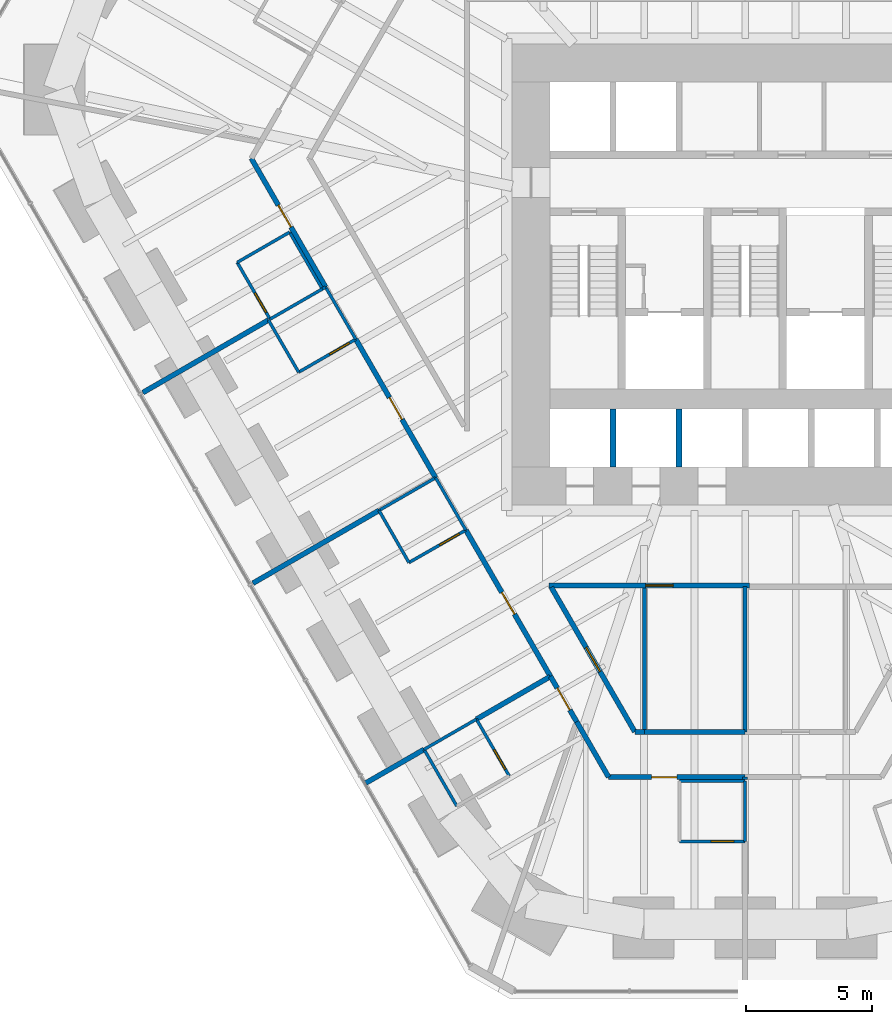
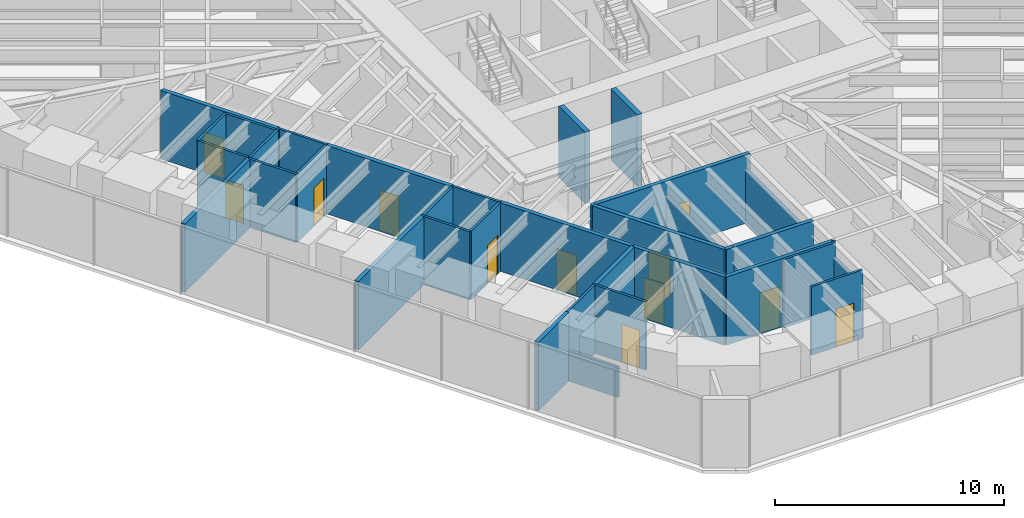
# One storey, part 11 of 17: 37 walls, 12 doors, 12 openings.
"""IFC4 building model written with IfcOpenShell, lengths in metres."""

from ifc_helpers import new_model, si_unit, direction, frame, frame_2d, origin, place, context, subcontext, project, spatial, rectangle, extrude, material, layer, layer_set, type_object, element, fill, save


model = new_model("IFC4")

# Units and contexts
model_context = context("Model", 3, precision=1e-05, world=origin(), true_north=direction((0.0, 1.0)))
body_context = subcontext(model_context, "Body", "Model", "MODEL_VIEW")
ifc_project = project(units=[si_unit("LENGTHUNIT", "METRE"), si_unit("AREAUNIT", "SQUARE_METRE"), si_unit("VOLUMEUNIT", "CUBIC_METRE"), si_unit("PLANEANGLEUNIT", "RADIAN"), si_unit("MASSUNIT", "GRAM", prefix="KILO")], contexts=[model_context])

# Site, building, storey
site_placement = place(None, origin())
site = spatial("IfcSite", under=ifc_project, at=site_placement, CompositionType="ELEMENT")
building_placement = place(site_placement, origin())
building = spatial("IfcBuilding", under=site, at=building_placement, Name="Sandreach Pilgrim Tower", CompositionType="ELEMENT")
storey_placement = place(building_placement, frame((0.0, 0.0, 83.800048828125)))
storey = spatial("IfcBuildingStorey", under=building, at=storey_placement, Name="L20", CompositionType="ELEMENT", Elevation=83.800048828125)

# Walls
ifc_material_1 = material(Name="Gypsum board on steel studs", Category="steel")
ifc_layer_1 = layer(ifc_material_1, 0.14990234375)
ifc_layer_set_1 = layer_set([ifc_layer_1], Name="Back of house wall 150")
wall_type_1 = type_object("IfcWallType", Name="Back of house wall 150", PredefinedType="PARTITIONING", material=ifc_layer_set_1)
wall_1_placement = place(storey_placement, frame((-4.0, -14.0, 0.0), z_axis=(0.0, 0.0, 1.0), x_axis=(0.0, -1.0, 0.0)))
element("IfcWall", 1, at=wall_1_placement, inside=storey, type_object=wall_type_1, Name="Back of house wall L20-062", PredefinedType="PARTITIONING", context=body_context, shape_type="SweptSolid", body=[
    extrude(rectangle(XDim=5.7099609375, YDim=0.14990234375, at=frame_2d((2.85498046875, 0.0))), origin(), (0.0, 0.0, 1.0), 2.8779296875),
])
wall_2_placement = place(storey_placement, frame((0.0, -13.949951171875, 0.0), z_axis=(0.0, 0.0, 1.0), x_axis=(0.0, -1.0, 0.0)))
element("IfcWall", 2, at=wall_2_placement, inside=storey, type_object=wall_type_1, Name="Back of house wall L20-075", PredefinedType="PARTITIONING", context=body_context, shape_type="SweptSolid", body=[
    extrude(rectangle(XDim=5.760009765625, YDim=0.14990234375, at=frame_2d((2.8798828125, 0.0))), origin(), (0.0, 0.0, 1.0), 2.860107421875),
])

# Wall, opening, door
ifc_material_2 = material(Name="Moisture-resistant gypsum board on steel studs", Category="steel")
ifc_layer_2 = layer(ifc_material_2, 0.1201171875)
ifc_layer_set_2 = layer_set([ifc_layer_2], Name="Bathroom partition 120")
wall_type_2 = type_object("IfcWallType", Name="Bathroom partition 120", PredefinedType="PARTITIONING", material=ifc_layer_set_2)
wall_3_placement = place(storey_placement, frame((-20.169921875, -1.070068359375, 0.0), z_axis=(0.0, 0.0, 1.0), x_axis=(0.500291685314, -0.865856933682, 0.0)))
wall_3 = element("IfcWall", 3, at=wall_3_placement, inside=storey, type_object=wall_type_2, Name="Bathroom partition L20-005", PredefinedType="PARTITIONING", context=body_context, shape_type="SweptSolid", body=[
    extrude(rectangle(XDim=2.5986328125, YDim=0.1201171875, at=frame_2d((1.29931640625, 0.0))), origin(), (0.0, 0.0, 1.0), 3.639892578125),
])
opening_1_placement = place(wall_3_placement, frame((1.398681640625, 0.0, 0.0)))
opening_1 = element("IfcOpeningElement", 4, at=opening_1_placement, cuts=wall_3, Name="Opening D09-16B", PredefinedType="OPENING", context=body_context, shape_type="SweptSolid", body=[
    extrude(rectangle(XDim=0.89990234375, YDim=2.030029296875, at=frame_2d((0.449951171875, 1.01513671875))), frame((0.0, 0.06005859375, 0.0), z_axis=(0.0, -1.0, 0.0), x_axis=(1.0, 0.0, 0.0)), (0.0, 0.0, 1.0), 0.1201171875),
])
ifc_material_3 = material(Name="Timber door, steel frame", Category="steel")
door_type_1 = type_object("IfcDoorType", Name="Bathroom door", OperationType="SINGLE_SWING_LEFT", PredefinedType="DOOR", material=ifc_material_3)
door_1_placement = place(opening_1_placement, origin())
door_1 = element("IfcDoor", 5, at=door_1_placement, inside=storey, type_object=door_type_1, Name="Door 2016B", OperationType="SINGLE_SWING_RIGHT", OverallHeight=2.030029296875, OverallWidth=0.89990234375, PredefinedType="DOOR", context=body_context, shape_type="SweptSolid", body=[
    extrude(rectangle(XDim=0.89990234375, YDim=2.030029296875, at=frame_2d((0.449951171875, 1.01513671875))), frame((0.0, 0.02490234375, 0.0), z_axis=(0.0, -1.0, 0.0), x_axis=(1.0, 0.0, 0.0)), (0.0, 0.0, 1.0), 0.050048828125),
])
fill(opening_1, door_1)

# Walls
wall_4_placement = place(storey_placement, frame((-18.929931640625, -3.360107421875, 0.0), z_axis=(0.0, 0.0, 1.0), x_axis=(0.501547039172, -0.865130376012, 0.0)))
element("IfcWall", 6, at=wall_4_placement, inside=storey, type_object=wall_type_2, Name="Bathroom partition L20-011", PredefinedType="PARTITIONING", context=body_context, shape_type="SweptSolid", body=[
    extrude(rectangle(XDim=2.392578125, YDim=0.1201171875, at=frame_2d((1.1962890625, 0.0))), origin(), (0.0, 0.0, 1.0), 3.639892578125),
])
wall_5_placement = place(storey_placement, frame((-18.86767578125, -3.323974609375, 0.0), z_axis=(0.0, 0.0, 1.0), x_axis=(0.866133109688, 0.499813401482, 0.0)))
element("IfcWall", 7, at=wall_5_placement, inside=storey, type_object=wall_type_2, Name="Bathroom partition L20-012", PredefinedType="PARTITIONING", context=body_context, shape_type="SweptSolid", body=[
    extrude(rectangle(XDim=2.4013671875, YDim=0.1201171875, at=frame_2d((1.20068359375, 0.0))), origin(), (0.0, 0.0, 1.0), 3.639892578125),
])
wall_6_placement = place(storey_placement, frame((-18.090087890625, 0.1298828125, 0.0), z_axis=(0.0, 0.0, 1.0), x_axis=(-0.866177122335, -0.499737123639, 0.0)))
element("IfcWall", 8, at=wall_6_placement, inside=storey, type_object=wall_type_2, Name="Bathroom partition L20-015", PredefinedType="PARTITIONING", context=body_context, shape_type="SweptSolid", body=[
    extrude(rectangle(XDim=2.401123046875, YDim=0.1201171875, at=frame_2d((1.20068359375, 0.0))), origin(), (0.0, 0.0, 1.0), 3.639892578125),
])

# Wall, opening, door
wall_7_placement = place(storey_placement, frame((-17.72998046875, -5.429931640625, 0.0), z_axis=(0.0, 0.0, 1.0), x_axis=(0.866114241029, 0.499846097802, 0.0)))
wall_7 = element("IfcWall", 9, at=wall_7_placement, inside=storey, type_object=wall_type_2, Name="Bathroom partition L20-016", PredefinedType="PARTITIONING", context=body_context, shape_type="SweptSolid", body=[
    extrude(rectangle(XDim=2.620849609375, YDim=0.1201171875, at=frame_2d((1.310546875, 0.0))), origin(), (0.0, 0.0, 1.0), 3.639892578125),
])
opening_2_placement = place(wall_7_placement, frame((1.4208984375, 0.0, 0.0)))
opening_2 = element("IfcOpeningElement", 10, at=opening_2_placement, cuts=wall_7, Name="Opening D09-15B", PredefinedType="OPENING", context=body_context, shape_type="SweptSolid", body=[
    extrude(rectangle(XDim=0.89990234375, YDim=2.030029296875, at=frame_2d((0.449951171875, 1.01513671875))), frame((0.0, 0.06005859375, 0.0), z_axis=(0.0, -1.0, 0.0), x_axis=(1.0, 0.0, 0.0)), (0.0, 0.0, 1.0), 0.1201171875),
])
door_2_placement = place(opening_2_placement, origin())
door_2 = element("IfcDoor", 11, at=door_2_placement, inside=storey, type_object=door_type_1, Name="Door 2015B", OperationType="SINGLE_SWING_RIGHT", OverallHeight=2.030029296875, OverallWidth=0.89990234375, PredefinedType="DOOR", context=body_context, shape_type="SweptSolid", body=[
    extrude(rectangle(XDim=0.89990234375, YDim=2.030029296875, at=frame_2d((0.449951171875, 1.01513671875))), frame((0.0, 0.02490234375, 0.0), z_axis=(0.0, -1.0, 0.0), x_axis=(1.0, 0.0, 0.0)), (0.0, 0.0, 1.0), 0.050048828125),
])
fill(opening_2, door_2)

# Walls
wall_8_placement = place(storey_placement, frame((-16.7900390625, -2.1201171875, 0.0), z_axis=(0.0, 0.0, 1.0), x_axis=(-0.50025099007, 0.865880446098, 0.0)))
element("IfcWall", 12, at=wall_8_placement, inside=storey, type_object=wall_type_2, Name="Bathroom partition L20-020", PredefinedType="PARTITIONING", context=body_context, shape_type="SweptSolid", body=[
    extrude(rectangle(XDim=2.598876953125, YDim=0.1201171875, at=frame_2d((1.29931640625, 0.0))), origin(), (0.0, 0.0, 1.0), 3.639892578125),
])
wall_9_placement = place(storey_placement, frame((-16.787841796875, -2.123779296875, 0.0), z_axis=(0.0, 0.0, 1.0), x_axis=(0.866405716731, 0.499340699338, 0.0)))
element("IfcWall", 13, at=wall_9_placement, inside=storey, type_object=wall_type_2, Name="Bathroom partition L20-021", PredefinedType="PARTITIONING", context=body_context, shape_type="SweptSolid", body=[
    extrude(rectangle(XDim=0.147705078125, YDim=0.1201171875, at=frame_2d((0.07373046875, 0.0))), origin(), (0.0, 0.0, 1.0), 3.639892578125),
])
wall_10_placement = place(storey_placement, frame((-16.659912109375, -2.050048828125, 0.0), z_axis=(0.0, 0.0, 1.0), x_axis=(0.501502765098, -0.865156041763, 0.0)))
element("IfcWall", 14, at=wall_10_placement, inside=storey, type_object=wall_type_2, Name="Bathroom partition L20-022", PredefinedType="PARTITIONING", context=body_context, shape_type="SweptSolid", body=[
    extrude(rectangle(XDim=2.392822265625, YDim=0.1201171875, at=frame_2d((1.1962890625, 0.0))), origin(), (0.0, 0.0, 1.0), 3.639892578125),
])
wall_11_placement = place(storey_placement, frame((-14.5400390625, -10.919921875, 0.0), z_axis=(0.0, 0.0, 1.0), x_axis=(0.49836161924, -0.866969259241, 0.0)))
element("IfcWall", 15, at=wall_11_placement, inside=storey, type_object=wall_type_2, Name="Bathroom partition L20-029", PredefinedType="PARTITIONING", context=body_context, shape_type="SweptSolid", body=[
    extrude(rectangle(XDim=2.3876953125, YDim=0.1201171875, at=frame_2d((1.19384765625, 0.0))), origin(), (0.0, 0.0, 1.0), 3.639892578125),
])
wall_12_placement = place(storey_placement, frame((-14.5400390625, -10.919921875, 0.0), z_axis=(0.0, 0.0, 1.0), x_axis=(0.865897630733, 0.500221244143, 0.0)))
element("IfcWall", 16, at=wall_12_placement, inside=storey, type_object=wall_type_2, Name="Bathroom partition L20-030", PredefinedType="PARTITIONING", context=body_context, shape_type="SweptSolid", body=[
    extrude(rectangle(XDim=2.598388671875, YDim=0.1201171875, at=frame_2d((1.29931640625, 0.0))), origin(), (0.0, 0.0, 1.0), 3.639892578125),
])

# Wall, opening, door
wall_13_placement = place(storey_placement, frame((-13.35009765625, -12.989990234375, 0.0), z_axis=(0.0, 0.0, 1.0), x_axis=(0.868473984885, 0.49573474518, 0.0)))
wall_13 = element("IfcWall", 17, at=wall_13_placement, inside=storey, type_object=wall_type_2, Name="Bathroom partition L20-033", PredefinedType="PARTITIONING", context=body_context, shape_type="SweptSolid", body=[
    extrude(rectangle(XDim=2.602294921875, YDim=0.1201171875, at=frame_2d((1.30126953125, 0.0))), origin(), (0.0, 0.0, 1.0), 3.639892578125),
])
opening_3_placement = place(wall_13_placement, frame((1.402099609375, 0.0, 0.0)))
opening_3 = element("IfcOpeningElement", 18, at=opening_3_placement, cuts=wall_13, Name="Opening D09-14B", PredefinedType="OPENING", context=body_context, shape_type="SweptSolid", body=[
    extrude(rectangle(XDim=0.89990234375, YDim=2.030029296875, at=frame_2d((0.449951171875, 1.01513671875))), frame((0.0, 0.06005859375, 0.0), z_axis=(0.0, -1.0, 0.0), x_axis=(1.0, 0.0, 0.0)), (0.0, 0.0, 1.0), 0.1201171875),
])
door_3_placement = place(opening_3_placement, origin())
door_3 = element("IfcDoor", 19, at=door_3_placement, inside=storey, type_object=door_type_1, Name="Door 2014B", OperationType="SINGLE_SWING_RIGHT", OverallHeight=2.030029296875, OverallWidth=0.89990234375, PredefinedType="DOOR", context=body_context, shape_type="SweptSolid", body=[
    extrude(rectangle(XDim=0.89990234375, YDim=2.030029296875, at=frame_2d((0.449951171875, 1.01513671875))), frame((0.0, 0.02490234375, 0.0), z_axis=(0.0, -1.0, 0.0), x_axis=(1.0, 0.0, 0.0)), (0.0, 0.0, 1.0), 0.050048828125),
])
fill(opening_3, door_3)

# Walls
wall_14_placement = place(storey_placement, frame((-12.75, -20.409912109375, 0.0), z_axis=(0.0, 0.0, 1.0), x_axis=(0.50025099007, -0.865880446098, 0.0)))
element("IfcWall", 20, at=wall_14_placement, inside=storey, type_object=wall_type_2, Name="Bathroom partition L20-034", PredefinedType="PARTITIONING", context=body_context, shape_type="SweptSolid", body=[
    extrude(rectangle(XDim=2.598876953125, YDim=0.1201171875, at=frame_2d((1.29931640625, 0.0))), origin(), (0.0, 0.0, 1.0), 1.639892578125),
])
wall_15_placement = place(storey_placement, frame((-12.75, -20.409912109375, 0.0), z_axis=(0.0, 0.0, 1.0), x_axis=(0.866202511239, 0.499693115345, 0.0)))
element("IfcWall", 21, at=wall_15_placement, inside=storey, type_object=wall_type_2, Name="Bathroom partition L20-035", PredefinedType="PARTITIONING", context=body_context, shape_type="SweptSolid", body=[
    extrude(rectangle(XDim=2.4013671875, YDim=0.1201171875, at=frame_2d((1.20068359375, 0.0))), origin(), (0.0, 0.0, 1.0), 3.639892578125),
])
wall_16_placement = place(storey_placement, frame((-12.2900390625, -9.6201171875, 0.0), z_axis=(0.0, 0.0, 1.0), x_axis=(0.499737123639, -0.866177122335, 0.0)))
element("IfcWall", 22, at=wall_16_placement, inside=storey, type_object=wall_type_2, Name="Bathroom partition L20-039", PredefinedType="PARTITIONING", context=body_context, shape_type="SweptSolid", body=[
    extrude(rectangle(XDim=2.401123046875, YDim=0.1201171875, at=frame_2d((1.20068359375, 0.0))), origin(), (0.0, 0.0, 1.0), 3.639892578125),
])

# Wall, opening, door
wall_17_placement = place(storey_placement, frame((-9.3701171875, -21.4599609375, 0.0), z_axis=(0.0, 0.0, 1.0), x_axis=(-0.500221244143, 0.865897630733, 0.0)))
wall_17 = element("IfcWall", 23, at=wall_17_placement, inside=storey, type_object=wall_type_2, Name="Bathroom partition L20-051", PredefinedType="PARTITIONING", context=body_context, shape_type="SweptSolid", body=[
    extrude(rectangle(XDim=2.598388671875, YDim=0.1201171875, at=frame_2d((1.29931640625, 0.0))), origin(), (0.0, 0.0, 1.0), 3.639892578125),
])
opening_4_placement = place(wall_17_placement, frame((0.300048828125, 0.0, 0.0)))
opening_4 = element("IfcOpeningElement", 24, at=opening_4_placement, cuts=wall_17, Name="Opening D09-13B", PredefinedType="OPENING", context=body_context, shape_type="SweptSolid", body=[
    extrude(rectangle(XDim=0.89990234375, YDim=2.030029296875, at=frame_2d((0.449951171875, 1.01513671875))), frame((0.0, 0.06005859375, 0.0), z_axis=(0.0, -1.0, 0.0), x_axis=(1.0, 0.0, 0.0)), (0.0, 0.0, 1.0), 0.1201171875),
])
door_4_placement = place(opening_4_placement, origin())
door_4 = element("IfcDoor", 25, at=door_4_placement, inside=storey, type_object=door_type_1, Name="Door 2013B", OperationType="SINGLE_SWING_LEFT", OverallHeight=2.030029296875, OverallWidth=0.89990234375, PredefinedType="DOOR", context=body_context, shape_type="SweptSolid", body=[
    extrude(rectangle(XDim=0.89990234375, YDim=2.030029296875, at=frame_2d((0.449951171875, 1.01513671875))), frame((0.0, 0.02490234375, 0.0), z_axis=(0.0, -1.0, 0.0), x_axis=(1.0, 0.0, 0.0)), (0.0, 0.0, 1.0), 0.050048828125),
])
fill(opening_4, door_4)

wall_18_placement = place(storey_placement, frame((-2.60009765625, -24.06005859375, 0.0), z_axis=(0.0, 0.0, 1.0), x_axis=(1.0, 0.0, 0.0)))
wall_18 = element("IfcWall", 26, at=wall_18_placement, inside=storey, type_object=wall_type_2, Name="Bathroom partition L20-063", PredefinedType="PARTITIONING", context=body_context, shape_type="SweptSolid", body=[
    extrude(rectangle(XDim=2.60009765625, YDim=0.1201171875, at=frame_2d((1.300048828125, 0.0))), origin(), (0.0, 0.0, 1.0), 3.639892578125),
])
opening_5_placement = place(wall_18_placement, frame((1.25, 0.0, 0.0)))
opening_5 = element("IfcOpeningElement", 27, at=opening_5_placement, cuts=wall_18, Name="Opening D09-12B", PredefinedType="OPENING", context=body_context, shape_type="SweptSolid", body=[
    extrude(rectangle(XDim=0.89990234375, YDim=2.030029296875, at=frame_2d((0.449951171875, 1.01513671875))), frame((0.0, 0.06005859375, 0.0), z_axis=(0.0, -1.0, 0.0), x_axis=(1.0, 0.0, 0.0)), (0.0, 0.0, 1.0), 0.1201171875),
])
door_5_placement = place(opening_5_placement, origin())
door_5 = element("IfcDoor", 28, at=door_5_placement, inside=storey, type_object=door_type_1, Name="Door 2012B", OperationType="SINGLE_SWING_RIGHT", OverallHeight=2.030029296875, OverallWidth=0.89990234375, PredefinedType="DOOR", context=body_context, shape_type="SweptSolid", body=[
    extrude(rectangle(XDim=0.89990234375, YDim=2.030029296875, at=frame_2d((0.449951171875, 1.01513671875))), frame((0.0, 0.02490234375, 0.0), z_axis=(0.0, -1.0, 0.0), x_axis=(1.0, 0.0, 0.0)), (0.0, 0.0, 1.0), 0.050048828125),
])
fill(opening_5, door_5)

# Walls
wall_19_placement = place(storey_placement, frame((0.0, -24.06005859375, 0.0), z_axis=(0.0, 0.0, 1.0), x_axis=(0.0, 1.0, 0.0)))
element("IfcWall", 29, at=wall_19_placement, inside=storey, type_object=wall_type_2, Name="Bathroom partition L20-070", PredefinedType="PARTITIONING", context=body_context, shape_type="SweptSolid", body=[
    extrude(rectangle(XDim=2.400146484375, YDim=0.1201171875, at=frame_2d((1.2001953125, 0.0))), origin(), (0.0, 0.0, 1.0), 2.860107421875),
])
wall_20_placement = place(storey_placement, frame((0.0, -21.659912109375, 0.0), z_axis=(0.0, 0.0, 1.0), x_axis=(-1.0, 0.0, 0.0)))
element("IfcWall", 30, at=wall_20_placement, inside=storey, type_object=wall_type_2, Name="Bathroom partition L20-071", PredefinedType="PARTITIONING", context=body_context, shape_type="SweptSolid", body=[
    extrude(rectangle(XDim=2.60009765625, YDim=0.1201171875, at=frame_2d((1.300048828125, 0.0))), origin(), (0.0, 0.0, 1.0), 3.639892578125),
])

# Wall, opening, door
ifc_material_4 = material(Name="Gypsum board on steel studs, two layers each side", Category="steel")
ifc_layer_3 = layer(ifc_material_4, 0.199951171875)
ifc_layer_set_3 = layer_set([ifc_layer_3], Name="Corridor wall 200")
wall_type_3 = type_object("IfcWallType", Name="Corridor wall 200", PredefinedType="PARTITIONING", material=ifc_layer_set_3)
wall_21_placement = place(storey_placement, frame((-19.610107421875, 3.06005859375, 0.0), z_axis=(0.0, 0.0, 1.0), x_axis=(0.499983910424, -0.866034692906, 0.0)))
wall_21 = element("IfcWall", 31, at=wall_21_placement, inside=storey, type_object=wall_type_3, Name="Corridor wall L20-007", PredefinedType="PARTITIONING", context=body_context, shape_type="SweptSolid", body=[
    extrude(rectangle(XDim=5.900634765625, YDim=0.199951171875, at=frame_2d((2.9501953125, 0.0))), origin(), (0.0, 0.0, 1.0), 3.639892578125),
])
opening_6_placement = place(wall_21_placement, frame((2.14990234375, 0.0, 0.0)))
opening_6 = element("IfcOpeningElement", 32, at=opening_6_placement, cuts=wall_21, Name="Opening D10-16", PredefinedType="OPENING", context=body_context, shape_type="SweptSolid", body=[
    extrude(rectangle(XDim=1.0, YDim=2.1298828125, at=frame_2d((0.5, 1.06494140625))), frame((0.0, 0.10009765625, 0.0), z_axis=(0.0, -1.0, 0.0), x_axis=(1.0, 0.0, 0.0)), (0.0, 0.0, 1.0), 0.199951171875),
])
ifc_material_5 = material(Name="Steel door and frame", Category="steel")
door_type_2 = type_object("IfcDoorType", Name="Guest room entry door", OperationType="SINGLE_SWING_LEFT", PredefinedType="DOOR", material=ifc_material_5)
door_6_placement = place(opening_6_placement, origin())
door_6 = element("IfcDoor", 33, at=door_6_placement, inside=storey, type_object=door_type_2, Name="Door 2016", OperationType="SINGLE_SWING_LEFT", OverallHeight=2.1298828125, OverallWidth=1.0, PredefinedType="DOOR", context=body_context, shape_type="SweptSolid", body=[
    extrude(rectangle(XDim=1.0, YDim=2.1298828125, at=frame_2d((0.5, 1.06494140625))), frame((0.0, 0.02490234375, 0.0), z_axis=(0.0, -1.0, 0.0), x_axis=(1.0, 0.0, 0.0)), (0.0, 0.0, 1.0), 0.050048828125),
])
fill(opening_6, door_6)

wall_22_placement = place(storey_placement, frame((-15.4599609375, -4.1201171875, 0.0), z_axis=(0.0, 0.0, 1.0), x_axis=(0.499349514416, -0.866400636226, 0.0)))
wall_22 = element("IfcWall", 34, at=wall_22_placement, inside=storey, type_object=wall_type_3, Name="Corridor wall L20-025", PredefinedType="PARTITIONING", context=body_context, shape_type="SweptSolid", body=[
    extrude(rectangle(XDim=6.34814453125, YDim=0.199951171875, at=frame_2d((3.174072265625, 0.0))), origin(), (0.0, 0.0, 1.0), 3.639892578125),
])
opening_7_placement = place(wall_22_placement, frame((2.674072265625, 0.0, 0.0)))
opening_7 = element("IfcOpeningElement", 35, at=opening_7_placement, cuts=wall_22, Name="Opening D10-15", PredefinedType="OPENING", context=body_context, shape_type="SweptSolid", body=[
    extrude(rectangle(XDim=1.0, YDim=2.1298828125, at=frame_2d((0.5, 1.06494140625))), frame((0.0, 0.10009765625, 0.0), z_axis=(0.0, -1.0, 0.0), x_axis=(1.0, 0.0, 0.0)), (0.0, 0.0, 1.0), 0.199951171875),
])
door_7_placement = place(opening_7_placement, origin())
door_7 = element("IfcDoor", 36, at=door_7_placement, inside=storey, type_object=door_type_2, Name="Door 2015", OperationType="SINGLE_SWING_LEFT", OverallHeight=2.1298828125, OverallWidth=1.0, PredefinedType="DOOR", context=body_context, shape_type="SweptSolid", body=[
    extrude(rectangle(XDim=1.0, YDim=2.1298828125, at=frame_2d((0.5, 1.06494140625))), frame((0.0, 0.02490234375, 0.0), z_axis=(0.0, -1.0, 0.0), x_axis=(1.0, 0.0, 0.0)), (0.0, 0.0, 1.0), 0.050048828125),
])
fill(opening_7, door_7)

wall_23_placement = place(storey_placement, frame((-11.090087890625, -11.699951171875, 0.0), z_axis=(0.0, 0.0, 1.0), x_axis=(0.500633295611, -0.865659461524, 0.0)))
wall_23 = element("IfcWall", 37, at=wall_23_placement, inside=storey, type_object=wall_type_3, Name="Corridor wall L20-044", PredefinedType="PARTITIONING", context=body_context, shape_type="SweptSolid", body=[
    extrude(rectangle(XDim=6.711669921875, YDim=0.199951171875, at=frame_2d((3.35595703125, 0.0))), origin(), (0.0, 0.0, 1.0), 3.639892578125),
])
opening_8_placement = place(wall_23_placement, frame((2.855712890625, 0.0, 0.0)))
opening_8 = element("IfcOpeningElement", 38, at=opening_8_placement, cuts=wall_23, Name="Opening D10-14", PredefinedType="OPENING", context=body_context, shape_type="SweptSolid", body=[
    extrude(rectangle(XDim=1.0, YDim=2.1298828125, at=frame_2d((0.5, 1.06494140625))), frame((0.0, 0.10009765625, 0.0), z_axis=(0.0, -1.0, 0.0), x_axis=(1.0, 0.0, 0.0)), (0.0, 0.0, 1.0), 0.199951171875),
])
door_8_placement = place(opening_8_placement, origin())
door_8 = element("IfcDoor", 39, at=door_8_placement, inside=storey, type_object=door_type_2, Name="Door 2014", OperationType="SINGLE_SWING_LEFT", OverallHeight=2.1298828125, OverallWidth=1.0, PredefinedType="DOOR", context=body_context, shape_type="SweptSolid", body=[
    extrude(rectangle(XDim=1.0, YDim=2.1298828125, at=frame_2d((0.5, 1.06494140625))), frame((0.0, 0.02490234375, 0.0), z_axis=(0.0, -1.0, 0.0), x_axis=(1.0, 0.0, 0.0)), (0.0, 0.0, 1.0), 0.050048828125),
])
fill(opening_8, door_8)

wall_24_placement = place(storey_placement, frame((-7.72998046875, -17.510009765625, 0.0), z_axis=(0.0, 0.0, 1.0), x_axis=(0.500281510986, -0.865862812324, 0.0)))
wall_24 = element("IfcWall", 40, at=wall_24_placement, inside=storey, type_object=wall_type_3, Name="Corridor wall L20-055", PredefinedType="PARTITIONING", context=body_context, shape_type="SweptSolid", body=[
    extrude(rectangle(XDim=2.078857421875, YDim=0.199951171875, at=frame_2d((1.03955078125, 0.0))), origin(), (0.0, 0.0, 1.0), 3.639892578125),
])
opening_9_placement = place(wall_24_placement, frame((0.539306640625, 0.0, 0.0)))
opening_9 = element("IfcOpeningElement", 41, at=opening_9_placement, cuts=wall_24, Name="Opening D10-13", PredefinedType="OPENING", context=body_context, shape_type="SweptSolid", body=[
    extrude(rectangle(XDim=1.0, YDim=2.1298828125, at=frame_2d((0.5, 1.06494140625))), frame((0.0, 0.10009765625, 0.0), z_axis=(0.0, -1.0, 0.0), x_axis=(1.0, 0.0, 0.0)), (0.0, 0.0, 1.0), 0.199951171875),
])
door_9_placement = place(opening_9_placement, origin())
door_9 = element("IfcDoor", 42, at=door_9_placement, inside=storey, type_object=door_type_2, Name="Door 2013", OperationType="SINGLE_SWING_LEFT", OverallHeight=2.1298828125, OverallWidth=1.0, PredefinedType="DOOR", context=body_context, shape_type="SweptSolid", body=[
    extrude(rectangle(XDim=1.0, YDim=2.1298828125, at=frame_2d((0.5, 1.06494140625))), frame((0.0, 0.02490234375, 0.0), z_axis=(0.0, -1.0, 0.0), x_axis=(1.0, 0.0, 0.0)), (0.0, 0.0, 1.0), 0.050048828125),
])
fill(opening_9, door_9)

# Wall
wall_25_placement = place(storey_placement, frame((-6.68994140625, -19.31005859375, 0.0), z_axis=(0.0, 0.0, 1.0), x_axis=(0.499963722229, -0.866046347752, 0.0)))
element("IfcWall", 43, at=wall_25_placement, inside=storey, type_object=wall_type_3, Name="Corridor wall L20-056", PredefinedType="PARTITIONING", context=body_context, shape_type="SweptSolid", body=[
    extrude(rectangle(XDim=2.540283203125, YDim=0.199951171875, at=frame_2d((1.27001953125, 0.0))), origin(), (0.0, 0.0, 1.0), 3.639892578125),
])

# Wall, opening, door
wall_26_placement = place(storey_placement, frame((-5.419921875, -21.510009765625, 0.0), z_axis=(0.0, 0.0, 1.0), x_axis=(1.0, 0.0, 0.0)))
wall_26 = element("IfcWall", 44, at=wall_26_placement, inside=storey, type_object=wall_type_3, Name="Corridor wall L20-057", PredefinedType="PARTITIONING", context=body_context, shape_type="SweptSolid", body=[
    extrude(rectangle(XDim=5.419921875, YDim=0.199951171875, at=frame_2d((2.7099609375, 0.0))), origin(), (0.0, 0.0, 1.0), 3.639892578125),
])
opening_10_placement = place(wall_26_placement, frame((1.7099609375, 0.0, 0.0)))
opening_10 = element("IfcOpeningElement", 45, at=opening_10_placement, cuts=wall_26, Name="Opening D10-12", PredefinedType="OPENING", context=body_context, shape_type="SweptSolid", body=[
    extrude(rectangle(XDim=1.0, YDim=2.1298828125, at=frame_2d((0.5, 1.06494140625))), frame((0.0, 0.10009765625, 0.0), z_axis=(0.0, -1.0, 0.0), x_axis=(1.0, 0.0, 0.0)), (0.0, 0.0, 1.0), 0.199951171875),
])
door_10_placement = place(opening_10_placement, origin())
door_10 = element("IfcDoor", 46, at=door_10_placement, inside=storey, type_object=door_type_2, Name="Door 2012", OperationType="SINGLE_SWING_LEFT", OverallHeight=2.1298828125, OverallWidth=1.0, PredefinedType="DOOR", context=body_context, shape_type="SweptSolid", body=[
    extrude(rectangle(XDim=1.0, YDim=2.1298828125, at=frame_2d((0.5, 1.06494140625))), frame((0.0, 0.02490234375, 0.0), z_axis=(0.0, -1.0, 0.0), x_axis=(1.0, 0.0, 0.0)), (0.0, 0.0, 1.0), 0.050048828125),
])
fill(opening_10, door_10)

wall_27_placement = place(storey_placement, frame((-4.3798828125, -19.7099609375, 0.0), z_axis=(0.0, 0.0, 1.0), x_axis=(-0.500523653757, 0.865722860984, 0.0)))
wall_27 = element("IfcWall", 47, at=wall_27_placement, inside=storey, type_object=wall_type_3, Name="Corridor wall L20-060", PredefinedType="PARTITIONING", context=body_context, shape_type="SweptSolid", body=[
    extrude(rectangle(XDim=6.62841796875, YDim=0.199951171875, at=frame_2d((3.314208984375, 0.0))), origin(), (0.0, 0.0, 1.0), 3.639892578125),
])
opening_11_placement = place(wall_27_placement, frame((2.76416015625, 0.0, 0.0)))
opening_11 = element("IfcOpeningElement", 48, at=opening_11_placement, cuts=wall_27, Name="Opening D11H-S1", PredefinedType="OPENING", context=body_context, shape_type="SweptSolid", body=[
    extrude(rectangle(XDim=1.10009765625, YDim=2.199951171875, at=frame_2d((0.550048828125, 1.10009765625))), frame((0.0, 0.10009765625, 0.0), z_axis=(0.0, -1.0, 0.0), x_axis=(1.0, 0.0, 0.0)), (0.0, 0.0, 1.0), 0.199951171875),
])
ifc_material_6 = material(Name="Steel door and frame", Category="steel")
door_type_3 = type_object("IfcDoorType", Name="Back of house door", OperationType="SINGLE_SWING_LEFT", PredefinedType="DOOR", material=ifc_material_6)
door_11_placement = place(opening_11_placement, origin())
door_11 = element("IfcDoor", 49, at=door_11_placement, inside=storey, type_object=door_type_3, Name="Door 20S1", OperationType="SINGLE_SWING_LEFT", OverallHeight=2.199951171875, OverallWidth=1.10009765625, PredefinedType="DOOR", context=body_context, shape_type="SweptSolid", body=[
    extrude(rectangle(XDim=1.10009765625, YDim=2.199951171875, at=frame_2d((0.550048828125, 1.10009765625))), frame((0.0, 0.02490234375, 0.0), z_axis=(0.0, -1.0, 0.0), x_axis=(1.0, 0.0, 0.0)), (0.0, 0.0, 1.0), 0.050048828125),
])
fill(opening_11, door_11)

# Walls
wall_28_placement = place(storey_placement, frame((-4.0, -19.7099609375, 0.0), z_axis=(0.0, 0.0, 1.0), x_axis=(-1.0, 0.0, 0.0)))
element("IfcWall", 50, at=wall_28_placement, inside=storey, type_object=wall_type_3, Name="Corridor wall L20-061", PredefinedType="PARTITIONING", context=body_context, shape_type="SweptSolid", body=[
    extrude(rectangle(XDim=0.3798828125, YDim=0.199951171875, at=frame_2d((0.18994140625, 0.0))), origin(), (0.0, 0.0, 1.0), 3.639892578125),
])
wall_29_placement = place(storey_placement, frame((0.0, -19.7099609375, 0.0), z_axis=(0.0, 0.0, 1.0), x_axis=(-1.0, 0.0, 0.0)))
element("IfcWall", 51, at=wall_29_placement, inside=storey, type_object=wall_type_3, Name="Corridor wall L20-074", PredefinedType="PARTITIONING", context=body_context, shape_type="SweptSolid", body=[
    extrude(rectangle(XDim=4.0, YDim=0.199951171875, at=frame_2d((2.0, 0.0))), origin(), (0.0, 0.0, 1.0), 3.639892578125),
])

# Wall, opening, door
wall_30_placement = place(storey_placement, frame((0.179931640625, -13.89990234375, 0.0), z_axis=(0.0, 0.0, 1.0), x_axis=(-1.0, 0.0, 0.0)))
wall_30 = element("IfcWall", 52, at=wall_30_placement, inside=storey, type_object=wall_type_3, Name="Corridor wall L20-080", PredefinedType="PARTITIONING", context=body_context, shape_type="SweptSolid", body=[
    extrude(rectangle(XDim=7.969970703125, YDim=0.199951171875, at=frame_2d((3.98486328125, 0.0))), origin(), (0.0, 0.0, 1.0), 3.639892578125),
])
opening_12_placement = place(wall_30_placement, frame((3.034912109375, 0.0, 0.0)))
opening_12 = element("IfcOpeningElement", 53, at=opening_12_placement, cuts=wall_30, Name="Opening D11H-S2", PredefinedType="OPENING", context=body_context, shape_type="SweptSolid", body=[
    extrude(rectangle(XDim=1.10009765625, YDim=2.199951171875, at=frame_2d((0.550048828125, 1.10009765625))), frame((0.0, 0.10009765625, 0.0), z_axis=(0.0, -1.0, 0.0), x_axis=(1.0, 0.0, 0.0)), (0.0, 0.0, 1.0), 0.199951171875),
])
door_12_placement = place(opening_12_placement, origin())
door_12 = element("IfcDoor", 54, at=door_12_placement, inside=storey, type_object=door_type_3, Name="Door 20S2", OperationType="SINGLE_SWING_LEFT", OverallHeight=2.199951171875, OverallWidth=1.10009765625, PredefinedType="DOOR", context=body_context, shape_type="SweptSolid", body=[
    extrude(rectangle(XDim=1.10009765625, YDim=2.199951171875, at=frame_2d((0.550048828125, 1.10009765625))), frame((0.0, 0.02490234375, 0.0), z_axis=(0.0, -1.0, 0.0), x_axis=(1.0, 0.0, 0.0)), (0.0, 0.0, 1.0), 0.050048828125),
])
fill(opening_12, door_12)

# Walls
ifc_material_7 = material(Name="Double steel stud acoustic wall, gypsum board", Category="steel")
ifc_layer_4 = layer(ifc_material_7, 0.199951171875)
ifc_layer_set_4 = layer_set([ifc_layer_4], Name="Party wall 200")
wall_type_4 = type_object("IfcWallType", Name="Party wall 200", PredefinedType="PARTITIONING", material=ifc_layer_set_4)
wall_31_placement = place(storey_placement, frame((-23.916015625, -6.239990234375, 0.0), z_axis=(0.0, 0.0, 1.0), x_axis=(0.865919350456, 0.50018364478, 0.0)))
element("IfcWall", 55, at=wall_31_placement, inside=storey, type_object=wall_type_4, Name="Party wall L20-003", PredefinedType="PARTITIONING", context=body_context, shape_type="SweptSolid", body=[
    extrude(rectangle(XDim=5.758056640625, YDim=0.199951171875, at=frame_2d((2.87890625, 0.0))), origin(), (0.0, 0.0, 1.0), 3.639892578125),
])
wall_32_placement = place(storey_placement, frame((-19.546142578125, -13.81005859375, 0.0), z_axis=(0.0, 0.0, 1.0), x_axis=(0.866035778077, 0.499982030767, 0.0)))
element("IfcWall", 56, at=wall_32_placement, inside=storey, type_object=wall_type_4, Name="Party wall L20-008", PredefinedType="PARTITIONING", context=body_context, shape_type="SweptSolid", body=[
    extrude(rectangle(XDim=5.780517578125, YDim=0.199951171875, at=frame_2d((2.89013671875, 0.0))), origin(), (0.0, 0.0, 1.0), 3.639892578125),
])
wall_33_placement = place(storey_placement, frame((-15.06396484375, -21.7451171875, 0.0), z_axis=(0.0, 0.0, 1.0), x_axis=(0.866149070221, 0.499785742249, 0.0)))
element("IfcWall", 57, at=wall_33_placement, inside=storey, type_object=wall_type_4, Name="Party wall L20-028", PredefinedType="PARTITIONING", context=body_context, shape_type="SweptSolid", body=[
    extrude(rectangle(XDim=2.671630859375, YDim=0.199951171875, at=frame_2d((1.3359375, 0.0))), origin(), (0.0, 0.0, 1.0), 3.639892578125),
])
wall_34_placement = place(storey_placement, frame((-10.669921875, -19.2099609375, 0.0), z_axis=(0.0, 0.0, 1.0), x_axis=(0.865707941605, 0.500549457937, 0.0)))
element("IfcWall", 58, at=wall_34_placement, inside=storey, type_object=wall_type_4, Name="Party wall L20-046", PredefinedType="PARTITIONING", context=body_context, shape_type="SweptSolid", body=[
    extrude(rectangle(XDim=3.381103515625, YDim=0.199951171875, at=frame_2d((1.6904296875, 0.0))), origin(), (0.0, 0.0, 1.0), 3.639892578125),
])
wall_35_placement = place(storey_placement, frame((0.0, -21.60009765625, 0.0), z_axis=(0.0, 0.0, 1.0), x_axis=(0.0, 1.0, 0.0)))
element("IfcWall", 59, at=wall_35_placement, inside=storey, type_object=wall_type_4, Name="Party wall L20-072", PredefinedType="PARTITIONING", context=body_context, shape_type="SweptSolid", body=[
    extrude(rectangle(XDim=0.090087890625, YDim=0.199951171875, at=frame_2d((0.044921875, 0.0))), origin(), (0.0, 0.0, 1.0), 3.639892578125),
])
ifc_material_8 = material(Name="Gypsum shaft wall on steel studs, two layers of shaft liner board", Category="steel")
ifc_layer_5 = layer(ifc_material_8, 0.25)
ifc_layer_set_5 = layer_set([ifc_layer_5], Name="Shaft partition 250")
wall_type_5 = type_object("IfcWallType", Name="Shaft partition 250", PredefinedType="PARTITIONING", material=ifc_layer_set_5)
for number, where, z_axis, x_axis, name in (
    (60, (-5.25, -9.199951171875, 0.0), (0.0, 0.0, 1.0), (0.0, 1.0, 0.0), "Shaft partition XS0 L20"),
    (61, (-2.625, -9.199951171875, 0.0), (0.0, 0.0, 1.0), (0.0, 1.0, 0.0), "Shaft partition XS1 L20"),
):
    element("IfcWall", number, at=place(storey_placement, frame(where, z_axis=z_axis, x_axis=x_axis)), inside=storey, type_object=wall_type_5, Name=name, PredefinedType="PARTITIONING", context=body_context, shape_type="SweptSolid", body=[
        extrude(rectangle(XDim=2.300048828125, YDim=0.25, at=frame_2d((1.14990234375, 0.0))), origin(), (0.0, 0.0, 1.0), 3.800048828125),
    ])

save(model, "model.ifc")
